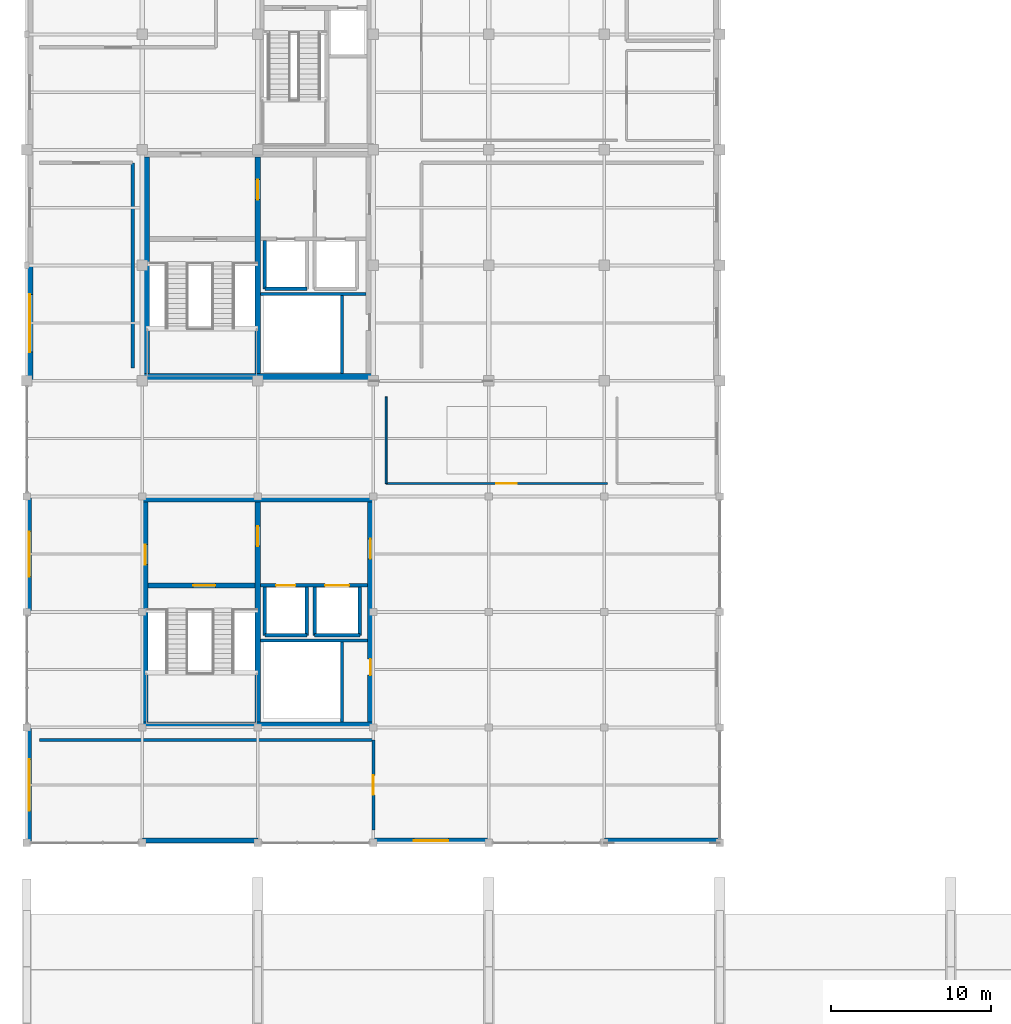
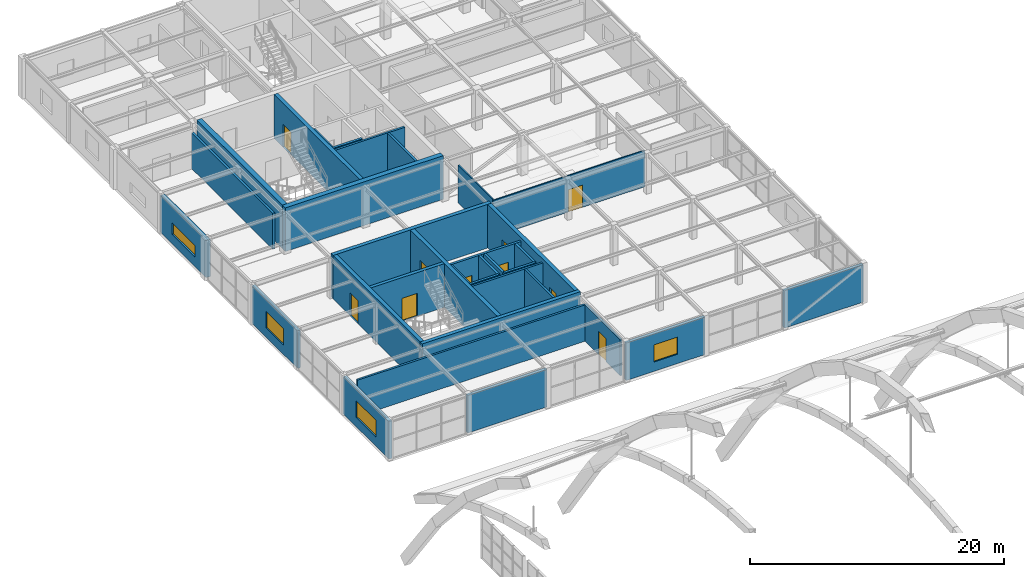
# One storey, part 56 of 64: 33 walls, 10 doors, 4 windows, 14 openings.
"""IFC4 building model written with IfcOpenShell, lengths in metres."""

from ifc_helpers import new_model, si_unit, direction, frame, frame_2d, origin, place, context, subcontext, project, spatial, rectangle, extrude, material, layer, layer_set, type_object, element, fill, save


model = new_model("IFC4")

# Units and contexts
model_context = context("Model", 3, precision=1e-05, world=origin(), true_north=direction((0.0, 1.0)))
body_context = subcontext(model_context, "Body", "Model", "MODEL_VIEW")
ifc_project = project(units=[si_unit("LENGTHUNIT", "METRE"), si_unit("AREAUNIT", "SQUARE_METRE"), si_unit("VOLUMEUNIT", "CUBIC_METRE"), si_unit("PLANEANGLEUNIT", "RADIAN"), si_unit("MASSUNIT", "GRAM", prefix="KILO")], contexts=[model_context])

# Site, building, storey
site_placement = place(None, origin())
site = spatial("IfcSite", under=ifc_project, at=site_placement, CompositionType="ELEMENT")
building_placement = place(site_placement, origin())
building = spatial("IfcBuilding", under=site, at=building_placement, Name="Leyfeld Transit Interchange", CompositionType="ELEMENT")
storey_placement = place(building_placement, frame((0.0, 0.0, 9.60009765625)))
storey = spatial("IfcBuildingStorey", under=building, at=storey_placement, Name="L02", CompositionType="ELEMENT", Elevation=9.60009765625)

# Wall, opening, window
ifc_material_1 = material(Name="Clinker brick masonry - Insulated", Category="masonry")
ifc_layer_1 = layer(ifc_material_1, 0.3798828125, Name="Clinker brick masonry - Insulated")
ifc_layer_set_1 = layer_set([ifc_layer_1], Name="Clinker brick masonry - Insulated")
wall_type_1 = type_object("IfcWallType", Name="WL-EXT-BRK-380", PredefinedType="SOLIDWALL", material=ifc_layer_set_1)
wall_1_placement = place(storey_placement, frame((0.18994140625, 93.60009765625, 0.0), z_axis=(0.0, 0.0, 1.0), x_axis=(0.0, 1.0, 0.0)))
wall_1 = element("IfcWall", 1, at=wall_1_placement, inside=storey, type_object=wall_type_1, Name="External Facade Wall EW-L02-075", PredefinedType="SOLIDWALL", context=body_context, shape_type="SweptSolid", body=[
    extrude(rectangle(XDim=7.199951171875, YDim=0.3798828125, at=frame_2d((3.60009765625, 0.0))), origin(), (0.0, 0.0, 1.0), 3.579833984375),
])
opening_1_placement = place(wall_1_placement, frame((1.800048828125, 0.0, 0.89990234375)))
opening_1 = element("IfcOpeningElement", 2, at=opening_1_placement, cuts=wall_1, Name="Opening W-04", PredefinedType="OPENING", context=body_context, shape_type="SweptSolid", body=[
    extrude(rectangle(XDim=3.60009765625, YDim=1.10009765625, at=frame_2d((1.800048828125, 0.550048828125))), frame((0.0, 0.199951171875, 0.0), z_axis=(0.0, -1.0, 0.0), x_axis=(1.0, 0.0, 0.0)), (0.0, 0.0, 1.0), 0.39990234375),
])
ifc_material_2 = material(Name="Triple low-E insulated glazing", Category="glass")
window_type_1 = type_object("IfcWindowType", Name="WIN-CLR-3600x1100", PartitioningType="SINGLE_PANEL", PredefinedType="WINDOW", material=ifc_material_2)
window_1_placement = place(opening_1_placement, origin())
window_1 = element("IfcWindow", 3, at=window_1_placement, inside=storey, type_object=window_type_1, Name="Facade Window L02 047", OverallHeight=1.10009765625, OverallWidth=3.60009765625, PartitioningType="SINGLE_PANEL", PredefinedType="WINDOW", context=body_context, shape_type="SweptSolid", body=[
    extrude(rectangle(XDim=3.60009765625, YDim=1.10009765625, at=frame_2d((1.800048828125, 0.550048828125))), frame((0.0, 0.030029296875, 0.0), z_axis=(0.0, -1.0, 0.0), x_axis=(1.0, 0.0, 0.0)), (0.0, 0.0, 1.0), 0.06005859375),
])
fill(opening_1, window_1)

ifc_material_3 = material(Name="Austrian larch glulam GL28h", Category="wood")
ifc_layer_2 = layer(ifc_material_3, 0.2900390625, Name="Austrian larch glulam GL28h")
ifc_layer_set_2 = layer_set([ifc_layer_2], Name="Austrian larch glulam GL28h")
wall_type_2 = type_object("IfcWallType", Name="WL-EXT-LRC-290", PredefinedType="SOLIDWALL", material=ifc_layer_set_2)
wall_2_placement = place(storey_placement, frame((0.14501953125, 64.800048828125, 0.0), z_axis=(0.0, 0.0, 1.0), x_axis=(0.0, 1.0, 0.0)))
wall_2 = element("IfcWall", 4, at=wall_2_placement, inside=storey, type_object=wall_type_2, Name="External Facade Wall EW-L02-073", PredefinedType="SOLIDWALL", context=body_context, shape_type="SweptSolid", body=[
    extrude(rectangle(XDim=7.199951171875, YDim=0.2900390625, at=frame_2d((3.60009765625, 0.0))), origin(), (0.0, 0.0, 1.0), 3.599853515625),
])
opening_2_placement = place(wall_2_placement, frame((2.0, 0.0, 0.89990234375)))
opening_2 = element("IfcOpeningElement", 5, at=opening_2_placement, cuts=wall_2, Name="Opening W-02", PredefinedType="OPENING", context=body_context, shape_type="SweptSolid", body=[
    extrude(rectangle(XDim=3.199951171875, YDim=1.60009765625, at=frame_2d((1.60009765625, 0.800048828125))), frame((0.0, 0.155029296875, 0.0), z_axis=(0.0, -1.0, 0.0), x_axis=(1.0, 0.0, 0.0)), (0.0, 0.0, 1.0), 0.31005859375),
])
window_type_2 = type_object("IfcWindowType", Name="WIN-RIB-3200x1600", PartitioningType="SINGLE_PANEL", PredefinedType="WINDOW", material=ifc_material_2)
window_2_placement = place(opening_2_placement, origin())
window_2 = element("IfcWindow", 6, at=window_2_placement, inside=storey, type_object=window_type_2, Name="Facade Window L02 045", OverallHeight=1.60009765625, OverallWidth=3.199951171875, PartitioningType="SINGLE_PANEL", PredefinedType="WINDOW", context=body_context, shape_type="SweptSolid", body=[
    extrude(rectangle(XDim=3.199951171875, YDim=1.60009765625, at=frame_2d((1.60009765625, 0.800048828125))), frame((0.0, 0.030029296875, 0.0), z_axis=(0.0, -1.0, 0.0), x_axis=(1.0, 0.0, 0.0)), (0.0, 0.0, 1.0), 0.06005859375),
])
fill(opening_2, window_2)

wall_3_placement = place(storey_placement, frame((0.14501953125, 79.199951171875, 0.0), z_axis=(0.0, 0.0, 1.0), x_axis=(0.0, 1.0, 0.0)))
wall_3 = element("IfcWall", 7, at=wall_3_placement, inside=storey, type_object=wall_type_2, Name="External Facade Wall EW-L02-074", PredefinedType="SOLIDWALL", context=body_context, shape_type="SweptSolid", body=[
    extrude(rectangle(XDim=7.199951171875, YDim=0.2900390625, at=frame_2d((3.60009765625, 0.0))), origin(), (0.0, 0.0, 1.0), 3.619873046875),
])
opening_3_placement = place(wall_3_placement, frame((2.199951171875, 0.0, 0.89990234375)))
opening_3 = element("IfcOpeningElement", 8, at=opening_3_placement, cuts=wall_3, Name="Opening W-03", PredefinedType="OPENING", context=body_context, shape_type="SweptSolid", body=[
    extrude(rectangle(XDim=2.800048828125, YDim=1.60009765625, at=frame_2d((1.39990234375, 0.800048828125))), frame((0.0, 0.155029296875, 0.0), z_axis=(0.0, -1.0, 0.0), x_axis=(1.0, 0.0, 0.0)), (0.0, 0.0, 1.0), 0.31005859375),
])
window_type_3 = type_object("IfcWindowType", Name="WIN-RIB-2800x1600", PartitioningType="SINGLE_PANEL", PredefinedType="WINDOW", material=ifc_material_2)
window_3_placement = place(opening_3_placement, origin())
window_3 = element("IfcWindow", 9, at=window_3_placement, inside=storey, type_object=window_type_3, Name="Facade Window L02 046", OverallHeight=1.60009765625, OverallWidth=2.800048828125, PartitioningType="SINGLE_PANEL", PredefinedType="WINDOW", context=body_context, shape_type="SweptSolid", body=[
    extrude(rectangle(XDim=2.800048828125, YDim=1.60009765625, at=frame_2d((1.39990234375, 0.800048828125))), frame((0.0, 0.030029296875, 0.0), z_axis=(0.0, -1.0, 0.0), x_axis=(1.0, 0.0, 0.0)), (0.0, 0.0, 1.0), 0.06005859375),
])
fill(opening_3, window_3)

# Wall
wall_4_placement = place(storey_placement, frame((43.199951171875, 64.945068359375, 0.0), z_axis=(0.0, 0.0, 1.0), x_axis=(-1.0, 0.0, 0.0)))
element("IfcWall", 10, at=wall_4_placement, inside=storey, type_object=wall_type_2, Name="External Facade Wall EW-L02-090", PredefinedType="SOLIDWALL", context=body_context, shape_type="SweptSolid", body=[
    extrude(rectangle(XDim=7.199951171875, YDim=0.2900390625, at=frame_2d((3.60009765625, 0.0))), origin(), (0.0, 0.0, 1.0), 3.599853515625),
])

# Wall, opening, window
wall_5_placement = place(storey_placement, frame((28.800048828125, 64.945068359375, 0.0), z_axis=(0.0, 0.0, 1.0), x_axis=(-1.0, 0.0, 0.0)))
wall_5 = element("IfcWall", 11, at=wall_5_placement, inside=storey, type_object=wall_type_2, Name="External Facade Wall EW-L02-091", PredefinedType="SOLIDWALL", context=body_context, shape_type="SweptSolid", body=[
    extrude(rectangle(XDim=7.199951171875, YDim=0.2900390625, at=frame_2d((3.60009765625, 0.0))), origin(), (0.0, 0.0, 1.0), 3.599853515625),
])
opening_4_placement = place(wall_5_placement, frame((2.52490234375, 0.0, 0.89990234375)))
opening_4 = element("IfcOpeningElement", 12, at=opening_4_placement, cuts=wall_5, Name="Opening WU-10", PredefinedType="OPENING", context=body_context, shape_type="SweptSolid", body=[
    extrude(rectangle(XDim=2.14990234375, YDim=1.64990234375, at=frame_2d((1.074951171875, 0.824951171875))), frame((0.0, 0.155029296875, 0.0), z_axis=(0.0, -1.0, 0.0), x_axis=(1.0, 0.0, 0.0)), (0.0, 0.0, 1.0), 0.31005859375),
])
window_type_4 = type_object("IfcWindowType", Name="WIN-UNQ-10", PartitioningType="SINGLE_PANEL", PredefinedType="WINDOW", material=ifc_material_2)
window_4_placement = place(opening_4_placement, origin())
window_4 = element("IfcWindow", 13, at=window_4_placement, inside=storey, type_object=window_type_4, Name="Facade Window L02 062", OverallHeight=1.64990234375, OverallWidth=2.14990234375, PartitioningType="SINGLE_PANEL", PredefinedType="WINDOW", context=body_context, shape_type="SweptSolid", body=[
    extrude(rectangle(XDim=2.14990234375, YDim=1.64990234375, at=frame_2d((1.074951171875, 0.824951171875))), frame((0.0, 0.030029296875, 0.0), z_axis=(0.0, -1.0, 0.0), x_axis=(1.0, 0.0, 0.0)), (0.0, 0.0, 1.0), 0.06005859375),
])
fill(opening_4, window_4)

# Walls
wall_6_placement = place(storey_placement, frame((14.39990234375, 64.945068359375, 0.0), z_axis=(0.0, 0.0, 1.0), x_axis=(-1.0, 0.0, 0.0)))
element("IfcWall", 14, at=wall_6_placement, inside=storey, type_object=wall_type_2, Name="External Facade Wall EW-L02-092", PredefinedType="SOLIDWALL", context=body_context, shape_type="SweptSolid", body=[
    extrude(rectangle(XDim=7.199951171875, YDim=0.2900390625, at=frame_2d((3.60009765625, 0.0))), origin(), (0.0, 0.0, 1.0), 3.599853515625),
])
ifc_material_4 = material(Name="Concrete C35/45", Category="concrete")
ifc_layer_3 = layer(ifc_material_4, 0.199951171875, Name="Concrete C35/45")
ifc_layer_set_3 = layer_set([ifc_layer_3], Name="Concrete C35/45")
wall_type_3 = type_object("IfcWallType", Name="WL-INT-FFL-200", PredefinedType="PARTITIONING", material=ifc_layer_set_3)
wall_7_placement = place(storey_placement, frame((6.60009765625, 107.199951171875, 0.0), z_axis=(0.0, 0.0, 1.0), x_axis=(0.0, -1.0, 0.0)))
element("IfcWall", 15, at=wall_7_placement, inside=storey, type_object=wall_type_3, Name="Interior Partition L02-TEL-01 E", PredefinedType="PARTITIONING", context=body_context, shape_type="SweptSolid", body=[
    extrude(rectangle(XDim=12.800048828125, YDim=0.199951171875, at=frame_2d((6.39990234375, 0.0))), origin(), (0.0, 0.0, 1.0), 3.429931640625),
])

# Wall, opening, door
ifc_material_5 = material(Name="Gypsum plasterboard acoustic stud", Category="gypsum")
ifc_layer_4 = layer(ifc_material_5, 0.114990234375, Name="Gypsum plasterboard acoustic stud")
ifc_layer_set_4 = layer_set([ifc_layer_4], Name="Gypsum plasterboard acoustic stud")
wall_type_4 = type_object("IfcWallType", Name="WL-INT-OFF-115", PredefinedType="PARTITIONING", material=ifc_layer_set_4)
wall_8_placement = place(storey_placement, frame((36.199951171875, 87.199951171875, 0.0), z_axis=(0.0, 0.0, 1.0), x_axis=(-1.0, 0.0, 0.0)))
wall_8 = element("IfcWall", 16, at=wall_8_placement, inside=storey, type_object=wall_type_4, Name="Interior Partition L02-OFF-01 S", PredefinedType="PARTITIONING", context=body_context, shape_type="SweptSolid", body=[
    extrude(rectangle(XDim=13.800048828125, YDim=0.114990234375, at=frame_2d((6.89990234375, 0.0))), origin(), (0.0, 0.0, 1.0), 3.5),
])
opening_5_placement = place(wall_8_placement, frame((5.659912109375, 0.0, 0.0)))
opening_5 = element("IfcOpeningElement", 17, at=opening_5_placement, cuts=wall_8, Name="Opening DU-09", PredefinedType="OPENING", context=body_context, shape_type="SweptSolid", body=[
    extrude(rectangle(XDim=1.280029296875, YDim=2.14990234375, at=frame_2d((0.64013671875, 1.074951171875))), frame((0.0, 0.0673828125, 0.0), z_axis=(0.0, -1.0, 0.0), x_axis=(1.0, 0.0, 0.0)), (0.0, 0.0, 1.0), 0.135009765625),
])
door_type_1 = type_object("IfcDoorType", Name="DR-UNQ-09", OperationType="NOTDEFINED", PredefinedType="DOOR", material=ifc_material_3)
door_1_placement = place(opening_5_placement, origin())
door_1 = element("IfcDoor", 18, at=door_1_placement, inside=storey, type_object=door_type_1, Name="DR-L02-OFF-01", OperationType="SINGLE_SWING_LEFT", OverallHeight=2.14990234375, OverallWidth=1.280029296875, PredefinedType="DOOR", context=body_context, shape_type="SweptSolid", body=[
    extrude(rectangle(XDim=1.280029296875, YDim=2.14990234375, at=frame_2d((0.64013671875, 1.074951171875))), frame((0.0, 0.02490234375, 0.0), z_axis=(0.0, -1.0, 0.0), x_axis=(1.0, 0.0, 0.0)), (0.0, 0.0, 1.0), 0.050048828125),
])
fill(opening_5, door_1)

# Walls
wall_9_placement = place(storey_placement, frame((22.39990234375, 87.199951171875, 0.0), z_axis=(0.0, 0.0, 1.0), x_axis=(0.0, 1.0, 0.0)))
element("IfcWall", 19, at=wall_9_placement, inside=storey, type_object=wall_type_4, Name="Interior Partition L02-OFF-01 W", PredefinedType="PARTITIONING", context=body_context, shape_type="SweptSolid", body=[
    extrude(rectangle(XDim=5.400146484375, YDim=0.114990234375, at=frame_2d((2.7001953125, 0.0))), origin(), (0.0, 0.0, 1.0), 3.6298828125),
])
ifc_material_6 = material(Name="Calcium silicate masonry", Category="masonry")
ifc_layer_5 = layer(ifc_material_6, 0.18994140625, Name="Calcium silicate masonry")
ifc_layer_set_5 = layer_set([ifc_layer_5], Name="Calcium silicate masonry")
wall_type_5 = type_object("IfcWallType", Name="WL-INT-PLT-190", PredefinedType="PARTITIONING", material=ifc_layer_set_5)
wall_10_placement = place(storey_placement, frame((14.580078125, 99.02001953125, 0.0), z_axis=(0.0, 0.0, 1.0), x_axis=(1.0, 0.0, 0.0)))
element("IfcWall", 20, at=wall_10_placement, inside=storey, type_object=wall_type_5, Name="Core K1 Riser Compartment Wall L02", PredefinedType="PARTITIONING", context=body_context, shape_type="SweptSolid", body=[
    extrude(rectangle(XDim=6.56982421875, YDim=0.18994140625, at=frame_2d((3.284912109375, 0.0))), origin(), (0.0, 0.0, 1.0), 3.849853515625),
])
wall_11_placement = place(storey_placement, frame((19.64990234375, 94.050048828125, 0.0), z_axis=(0.0, 0.0, 1.0), x_axis=(0.0, 1.0, 0.0)))
element("IfcWall", 21, at=wall_11_placement, inside=storey, type_object=wall_type_5, Name="Core K1 Riser Shaft East Wall L02", PredefinedType="PARTITIONING", context=body_context, shape_type="SweptSolid", body=[
    extrude(rectangle(XDim=4.8798828125, YDim=0.18994140625, at=frame_2d((2.43994140625, 0.0))), origin(), (0.0, 0.0, 1.0), 3.849853515625),
])
wall_12_placement = place(storey_placement, frame((14.580078125, 77.419921875, 0.0), z_axis=(0.0, 0.0, 1.0), x_axis=(1.0, 0.0, 0.0)))
element("IfcWall", 22, at=wall_12_placement, inside=storey, type_object=wall_type_5, Name="Core K3 Riser Compartment Wall L02", PredefinedType="PARTITIONING", context=body_context, shape_type="SweptSolid", body=[
    extrude(rectangle(XDim=6.669921875, YDim=0.18994140625, at=frame_2d((3.3349609375, 0.0))), origin(), (0.0, 0.0, 1.0), 3.849853515625),
])
wall_13_placement = place(storey_placement, frame((19.64990234375, 72.35009765625, 0.0), z_axis=(0.0, 0.0, 1.0), x_axis=(0.0, 1.0, 0.0)))
element("IfcWall", 23, at=wall_13_placement, inside=storey, type_object=wall_type_5, Name="Core K3 Riser Shaft East Wall L02", PredefinedType="PARTITIONING", context=body_context, shape_type="SweptSolid", body=[
    extrude(rectangle(XDim=4.97998046875, YDim=0.18994140625, at=frame_2d((2.489990234375, 0.0))), origin(), (0.0, 0.0, 1.0), 3.849853515625),
])
wall_14_placement = place(storey_placement, frame((0.800048828125, 71.199951171875, 0.0), z_axis=(0.0, 0.0, 1.0), x_axis=(1.0, 0.0, 0.0)))
element("IfcWall", 24, at=wall_14_placement, inside=storey, type_object=wall_type_5, Name="Interior Partition L02-WRK-01 N", PredefinedType="PARTITIONING", context=body_context, shape_type="SweptSolid", body=[
    extrude(rectangle(XDim=20.800048828125, YDim=0.18994140625, at=frame_2d((10.39990234375, 0.0))), origin(), (0.0, 0.0, 1.0), 3.5),
])

# Wall, opening, door
wall_15_placement = place(storey_placement, frame((21.60009765625, 71.199951171875, 0.0), z_axis=(0.0, 0.0, 1.0), x_axis=(0.0, -1.0, 0.0)))
wall_15 = element("IfcWall", 25, at=wall_15_placement, inside=storey, type_object=wall_type_5, Name="Interior Partition L02-WRK-01 E", PredefinedType="PARTITIONING", context=body_context, shape_type="SweptSolid", body=[
    extrude(rectangle(XDim=5.599853515625, YDim=0.18994140625, at=frame_2d((2.7998046875, 0.0))), origin(), (0.0, 0.0, 1.0), 3.5),
])
opening_6_placement = place(wall_15_placement, frame((2.18994140625, 0.0, 0.0)))
opening_6 = element("IfcOpeningElement", 26, at=opening_6_placement, cuts=wall_15, Name="Opening DU-08", PredefinedType="OPENING", context=body_context, shape_type="SweptSolid", body=[
    extrude(rectangle(XDim=1.219970703125, YDim=2.219970703125, at=frame_2d((0.60986328125, 1.10986328125))), frame((0.0, 0.10498046875, 0.0), z_axis=(0.0, -1.0, 0.0), x_axis=(1.0, 0.0, 0.0)), (0.0, 0.0, 1.0), 0.2099609375),
])
door_type_2 = type_object("IfcDoorType", Name="DR-UNQ-08", OperationType="NOTDEFINED", PredefinedType="DOOR", material=ifc_material_3)
door_2_placement = place(opening_6_placement, origin())
door_2 = element("IfcDoor", 27, at=door_2_placement, inside=storey, type_object=door_type_2, Name="DR-L02-WRK-01", OperationType="SINGLE_SWING_RIGHT", OverallHeight=2.219970703125, OverallWidth=1.219970703125, PredefinedType="DOOR", context=body_context, shape_type="SweptSolid", body=[
    extrude(rectangle(XDim=1.219970703125, YDim=2.219970703125, at=frame_2d((0.60986328125, 1.10986328125))), frame((0.0, 0.02490234375, 0.0), z_axis=(0.0, -1.0, 0.0), x_axis=(1.0, 0.0, 0.0)), (0.0, 0.0, 1.0), 0.050048828125),
])
fill(opening_6, door_2)

# Walls
ifc_layer_6 = layer(ifc_material_4, 0.219970703125, Name="Concrete C35/45")
ifc_layer_set_6 = layer_set([ifc_layer_6], Name="Concrete C35/45")
wall_type_6 = type_object("IfcWallType", Name="WL-INT-SHF-220", PredefinedType="PARTITIONING", material=ifc_layer_set_6)
wall_16_placement = place(storey_placement, frame((14.840087890625, 99.340087890625, 0.0), z_axis=(0.0, 0.0, 1.0), x_axis=(1.0, 0.0, 0.0)))
element("IfcWall", 28, at=wall_16_placement, inside=storey, type_object=wall_type_6, Name="Core K1 Lift FFL-1 Shaft Back Wall L02", PredefinedType="PARTITIONING", context=body_context, shape_type="SweptSolid", body=[
    extrude(rectangle(XDim=2.619873046875, YDim=0.219970703125, at=frame_2d((1.31005859375, 0.0))), origin(), (0.0, 0.0, 1.0), 3.849853515625),
])
wall_17_placement = place(storey_placement, frame((14.840087890625, 99.340087890625, 0.0), z_axis=(0.0, 0.0, 1.0), x_axis=(0.0, 1.0, 0.0)))
element("IfcWall", 29, at=wall_17_placement, inside=storey, type_object=wall_type_6, Name="Core K1 Lift FFL-1 Shaft Wall W L02", PredefinedType="PARTITIONING", context=body_context, shape_type="SweptSolid", body=[
    extrude(rectangle(XDim=3.0, YDim=0.219970703125, at=frame_2d((1.5, 0.0))), origin(), (0.0, 0.0, 1.0), 3.849853515625),
])

# Wall, openings, doors
wall_18_placement = place(storey_placement, frame((14.580078125, 80.85009765625, 0.0), z_axis=(0.0, 0.0, 1.0), x_axis=(1.0, 0.0, 0.0)))
wall_18 = element("IfcWall", 30, at=wall_18_placement, inside=storey, type_object=wall_type_6, Name="Core K3 Lift Shaft Front Wall L02", PredefinedType="PARTITIONING", context=body_context, shape_type="SweptSolid", body=[
    extrude(rectangle(XDim=6.669921875, YDim=0.219970703125, at=frame_2d((3.3349609375, 0.0))), origin(), (0.0, 0.0, 1.0), 3.849853515625),
])
opening_7_placement = place(wall_18_placement, frame((0.969970703125, 0.0, 0.0)))
opening_7 = element("IfcOpeningElement", 31, at=opening_7_placement, cuts=wall_18, Name="Opening LD-02", PredefinedType="OPENING", context=body_context, shape_type="SweptSolid", body=[
    extrude(rectangle(XDim=1.199951171875, YDim=2.14990234375, at=frame_2d((0.60009765625, 1.074951171875))), frame((0.0, 0.119873046875, 0.0), z_axis=(0.0, -1.0, 0.0), x_axis=(1.0, 0.0, 0.0)), (0.0, 0.0, 1.0), 0.239990234375),
])
opening_8_placement = place(wall_18_placement, frame((4.02001953125, 0.0, 0.0)))
opening_8 = element("IfcOpeningElement", 32, at=opening_8_placement, cuts=wall_18, Name="Opening LD-03", PredefinedType="OPENING", context=body_context, shape_type="SweptSolid", body=[
    extrude(rectangle(XDim=1.5, YDim=2.25, at=frame_2d((0.75, 1.125))), frame((0.0, 0.119873046875, 0.0), z_axis=(0.0, -1.0, 0.0), x_axis=(1.0, 0.0, 0.0)), (0.0, 0.0, 1.0), 0.239990234375),
])
ifc_material_7 = material(Name="Stainless steel EN 1.4404", Category="steel")
door_type_3 = type_object("IfcDoorType", Name="DR-LD-GDS-1500x2250", OperationType="NOTDEFINED", PredefinedType="DOOR", material=ifc_material_7)
door_3_placement = place(opening_8_placement, origin())
door_3 = element("IfcDoor", 33, at=door_3_placement, inside=storey, type_object=door_type_3, Name="LD-GL-1-L02", OperationType="DOUBLE_DOOR_SLIDING", OverallHeight=2.25, OverallWidth=1.5, PredefinedType="DOOR", context=body_context, shape_type="SweptSolid", body=[
    extrude(rectangle(XDim=1.5, YDim=2.25, at=frame_2d((0.75, 1.125))), frame((0.0, 0.02490234375, 0.0), z_axis=(0.0, -1.0, 0.0), x_axis=(1.0, 0.0, 0.0)), (0.0, 0.0, 1.0), 0.050048828125),
])
fill(opening_8, door_3)
door_type_4 = type_object("IfcDoorType", Name="DR-LD-PAS-1200x2150", OperationType="NOTDEFINED", PredefinedType="DOOR", material=ifc_material_7)
door_4_placement = place(opening_7_placement, origin())
door_4 = element("IfcDoor", 34, at=door_4_placement, inside=storey, type_object=door_type_4, Name="LD-PL-3-L02", OperationType="DOUBLE_DOOR_SLIDING", OverallHeight=2.14990234375, OverallWidth=1.199951171875, PredefinedType="DOOR", context=body_context, shape_type="SweptSolid", body=[
    extrude(rectangle(XDim=1.199951171875, YDim=2.14990234375, at=frame_2d((0.60009765625, 1.074951171875))), frame((0.0, 0.02490234375, 0.0), z_axis=(0.0, -1.0, 0.0), x_axis=(1.0, 0.0, 0.0)), (0.0, 0.0, 1.0), 0.050048828125),
])
fill(opening_7, door_4)

# Walls
wall_19_placement = place(storey_placement, frame((14.840087890625, 77.739990234375, 0.0), z_axis=(0.0, 0.0, 1.0), x_axis=(1.0, 0.0, 0.0)))
element("IfcWall", 35, at=wall_19_placement, inside=storey, type_object=wall_type_6, Name="Core K3 Lift PL-3 Shaft Back Wall L02", PredefinedType="PARTITIONING", context=body_context, shape_type="SweptSolid", body=[
    extrude(rectangle(XDim=2.619873046875, YDim=0.219970703125, at=frame_2d((1.31005859375, 0.0))), origin(), (0.0, 0.0, 1.0), 3.849853515625),
])
for number, where, z_axis, x_axis, name in (
    (36, (14.840087890625, 77.739990234375, 0.0), (0.0, 0.0, 1.0), (0.0, 1.0, 0.0), "Core K3 Lift PL-3 Shaft Wall W L02"),
    (37, (17.4599609375, 77.739990234375, 0.0), (0.0, 0.0, 1.0), (0.0, 1.0, 0.0), "Core K3 Lift PL-3 Shaft Wall E L02"),
):
    element("IfcWall", number, at=place(storey_placement, frame(where, z_axis=z_axis, x_axis=x_axis)), inside=storey, type_object=wall_type_6, Name=name, PredefinedType="PARTITIONING", context=body_context, shape_type="SweptSolid", body=[
        extrude(rectangle(XDim=3.0, YDim=0.219970703125, at=frame_2d((1.5, 0.0))), origin(), (0.0, 0.0, 1.0), 3.849853515625),
    ])
wall_20_placement = place(storey_placement, frame((17.93994140625, 77.739990234375, 0.0), z_axis=(0.0, 0.0, 1.0), x_axis=(1.0, 0.0, 0.0)))
element("IfcWall", 38, at=wall_20_placement, inside=storey, type_object=wall_type_6, Name="Core K3 Lift GL-1 Shaft Back Wall L02", PredefinedType="PARTITIONING", context=body_context, shape_type="SweptSolid", body=[
    extrude(rectangle(XDim=2.820068359375, YDim=0.219970703125, at=frame_2d((1.41015625, 0.0))), origin(), (0.0, 0.0, 1.0), 3.849853515625),
])
for number, where, z_axis, x_axis, name in (
    (39, (17.93994140625, 77.739990234375, 0.0), (0.0, 0.0, 1.0), (0.0, 1.0, 0.0), "Core K3 Lift GL-1 Shaft Wall W L02"),
    (40, (20.760009765625, 77.739990234375, 0.0), (0.0, 0.0, 1.0), (0.0, 1.0, 0.0), "Core K3 Lift GL-1 Shaft Wall E L02"),
):
    element("IfcWall", number, at=place(storey_placement, frame(where, z_axis=z_axis, x_axis=x_axis)), inside=storey, type_object=wall_type_6, Name=name, PredefinedType="PARTITIONING", context=body_context, shape_type="SweptSolid", body=[
        extrude(rectangle(XDim=3.0, YDim=0.219970703125, at=frame_2d((1.5, 0.0))), origin(), (0.0, 0.0, 1.0), 3.849853515625),
    ])

# Wall, opening, door
ifc_layer_7 = layer(ifc_material_4, 0.300048828125, Name="Concrete C35/45")
ifc_layer_set_7 = layer_set([ifc_layer_7], Name="Concrete C35/45")
wall_type_7 = type_object("IfcWallType", Name="WL-SH-300", PredefinedType="SHEAR", material=ifc_layer_set_7)
wall_21_placement = place(storey_placement, frame((7.550048828125, 80.85009765625, 0.0), z_axis=(0.0, 0.0, 1.0), x_axis=(1.0, 0.0, 0.0)))
wall_21 = element("IfcWall", 41, at=wall_21_placement, inside=storey, type_object=wall_type_7, Name="Core K3 Shear Wall STRN L02", PredefinedType="SHEAR", context=body_context, shape_type="SweptSolid", body=[
    extrude(rectangle(XDim=6.675048828125, YDim=0.300048828125, at=frame_2d((3.33740234375, 0.0))), origin(), (0.0, 0.0, 1.0), 4.199951171875),
])
opening_9_placement = place(wall_21_placement, frame((2.8125, 0.0, 0.0)))
opening_9 = element("IfcOpeningElement", 42, at=opening_9_placement, cuts=wall_21, Name="Opening DI-01", PredefinedType="OPENING", context=body_context, shape_type="SweptSolid", body=[
    extrude(rectangle(XDim=1.39990234375, YDim=2.199951171875, at=frame_2d((0.699951171875, 1.10009765625))), frame((0.0, 0.159912109375, 0.0), z_axis=(0.0, -1.0, 0.0), x_axis=(1.0, 0.0, 0.0)), (0.0, 0.0, 1.0), 0.320068359375),
])
ifc_material_8 = material(Name="Galvanised steel S275JR", Category="steel")
door_type_5 = type_object("IfcDoorType", Name="DR-STR-1400x2200", OperationType="NOTDEFINED", PredefinedType="DOOR", material=ifc_material_8)
door_5_placement = place(opening_9_placement, origin())
door_5 = element("IfcDoor", 43, at=door_5_placement, inside=storey, type_object=door_type_5, Name="DR-STR-INT-K3-L02", OperationType="SINGLE_SWING_RIGHT", OverallHeight=2.199951171875, OverallWidth=1.39990234375, PredefinedType="DOOR", context=body_context, shape_type="SweptSolid", body=[
    extrude(rectangle(XDim=1.39990234375, YDim=2.199951171875, at=frame_2d((0.699951171875, 1.10009765625))), frame((0.0, 0.02490234375, 0.0), z_axis=(0.0, -1.0, 0.0), x_axis=(1.0, 0.0, 0.0)), (0.0, 0.0, 1.0), 0.050048828125),
])
fill(opening_9, door_5)

ifc_layer_8 = layer(ifc_material_4, 0.35009765625, Name="Concrete C35/45")
ifc_layer_set_8 = layer_set([ifc_layer_8], Name="Concrete C35/45")
wall_type_8 = type_object("IfcWallType", Name="WL-SH-350", PredefinedType="SHEAR", material=ifc_layer_set_8)
wall_22_placement = place(storey_placement, frame((14.39990234375, 107.550048828125, 0.0), z_axis=(0.0, 0.0, 1.0), x_axis=(0.0, -1.0, 0.0)))
wall_22 = element("IfcWall", 44, at=wall_22_placement, inside=storey, type_object=wall_type_8, Name="Core K1 Shear Wall MID L02", PredefinedType="SHEAR", context=body_context, shape_type="SweptSolid", body=[
    extrude(rectangle(XDim=13.5, YDim=0.35009765625, at=frame_2d((6.75, 0.0))), origin(), (0.0, 0.0, 1.0), 4.199951171875),
])
opening_10_placement = place(wall_22_placement, frame((1.39990234375, 0.0, 0.0)))
opening_10 = element("IfcOpeningElement", 45, at=opening_10_placement, cuts=wall_22, Name="Opening DI-02", PredefinedType="OPENING", context=body_context, shape_type="SweptSolid", body=[
    extrude(rectangle(XDim=1.25, YDim=2.199951171875, at=frame_2d((0.625, 1.10009765625))), frame((0.0, 0.18505859375, 0.0), z_axis=(0.0, -1.0, 0.0), x_axis=(1.0, 0.0, 0.0)), (0.0, 0.0, 1.0), 0.3701171875),
])
door_type_6 = type_object("IfcDoorType", Name="DR-FFL-1250x2200", OperationType="NOTDEFINED", PredefinedType="DOOR", material=ifc_material_8)
door_6_placement = place(opening_10_placement, origin())
door_6 = element("IfcDoor", 46, at=door_6_placement, inside=storey, type_object=door_type_6, Name="DR-CORE-MID-K1-L02", OperationType="SINGLE_SWING_RIGHT", OverallHeight=2.199951171875, OverallWidth=1.25, PredefinedType="DOOR", context=body_context, shape_type="SweptSolid", body=[
    extrude(rectangle(XDim=1.25, YDim=2.199951171875, at=frame_2d((0.625, 1.10009765625))), frame((0.0, 0.02490234375, 0.0), z_axis=(0.0, -1.0, 0.0), x_axis=(1.0, 0.0, 0.0)), (0.0, 0.0, 1.0), 0.050048828125),
])
fill(opening_10, door_6)

# Wall
wall_23_placement = place(storey_placement, frame((7.199951171875, 86.22509765625, 0.0), z_axis=(0.0, 0.0, 1.0), x_axis=(1.0, 0.0, 0.0)))
element("IfcWall", 47, at=wall_23_placement, inside=storey, type_object=wall_type_8, Name="Core K3 Shear Wall N L02", PredefinedType="SHEAR", context=body_context, shape_type="SweptSolid", body=[
    extrude(rectangle(XDim=14.400146484375, YDim=0.35009765625, at=frame_2d((7.2001953125, 0.0))), origin(), (0.0, 0.0, 1.0), 4.199951171875),
])

# Wall, openings, doors
wall_24_placement = place(storey_placement, frame((21.425048828125, 86.050048828125, 0.0), z_axis=(0.0, 0.0, 1.0), x_axis=(0.0, -1.0, 0.0)))
wall_24 = element("IfcWall", 48, at=wall_24_placement, inside=storey, type_object=wall_type_8, Name="Core K3 Shear Wall E L02", PredefinedType="SHEAR", context=body_context, shape_type="SweptSolid", body=[
    extrude(rectangle(XDim=13.699951171875, YDim=0.35009765625, at=frame_2d((6.85009765625, 0.0))), origin(), (0.0, 0.0, 1.0), 4.199951171875),
])
opening_11_placement = place(wall_24_placement, frame((9.800048828125, 0.0, 0.0)))
opening_11 = element("IfcOpeningElement", 49, at=opening_11_placement, cuts=wall_24, Name="Opening DI-05", PredefinedType="OPENING", context=body_context, shape_type="SweptSolid", body=[
    extrude(rectangle(XDim=1.0, YDim=2.14990234375, at=frame_2d((0.5, 1.074951171875))), frame((0.0, 0.18505859375, 0.0), z_axis=(0.0, -1.0, 0.0), x_axis=(1.0, 0.0, 0.0)), (0.0, 0.0, 1.0), 0.3701171875),
])
opening_12_placement = place(wall_24_placement, frame((2.300048828125, 0.0, 0.0)))
opening_12 = element("IfcOpeningElement", 50, at=opening_12_placement, cuts=wall_24, Name="Opening DI-02", PredefinedType="OPENING", context=body_context, shape_type="SweptSolid", body=[
    extrude(rectangle(XDim=1.25, YDim=2.199951171875, at=frame_2d((0.625, 1.10009765625))), frame((0.0, 0.18505859375, 0.0), z_axis=(0.0, -1.0, 0.0), x_axis=(1.0, 0.0, 0.0)), (0.0, 0.0, 1.0), 0.3701171875),
])
door_7_placement = place(opening_12_placement, origin())
door_7 = element("IfcDoor", 51, at=door_7_placement, inside=storey, type_object=door_type_6, Name="DR-CORE-OUT-K3-L02-E", OperationType="SINGLE_SWING_RIGHT", OverallHeight=2.199951171875, OverallWidth=1.25, PredefinedType="DOOR", context=body_context, shape_type="SweptSolid", body=[
    extrude(rectangle(XDim=1.25, YDim=2.199951171875, at=frame_2d((0.625, 1.10009765625))), frame((0.0, 0.02490234375, 0.0), z_axis=(0.0, -1.0, 0.0), x_axis=(1.0, 0.0, 0.0)), (0.0, 0.0, 1.0), 0.050048828125),
])
fill(opening_12, door_7)
door_type_7 = type_object("IfcDoorType", Name="DR-OFF-1000x2150", OperationType="NOTDEFINED", PredefinedType="DOOR", material=ifc_material_3)
door_8_placement = place(opening_11_placement, origin())
door_8 = element("IfcDoor", 52, at=door_8_placement, inside=storey, type_object=door_type_7, Name="DR-RSR-K3-L02", OperationType="SINGLE_SWING_RIGHT", OverallHeight=2.14990234375, OverallWidth=1.0, PredefinedType="DOOR", context=body_context, shape_type="SweptSolid", body=[
    extrude(rectangle(XDim=1.0, YDim=2.14990234375, at=frame_2d((0.5, 1.074951171875))), frame((0.0, 0.02490234375, 0.0), z_axis=(0.0, -1.0, 0.0), x_axis=(1.0, 0.0, 0.0)), (0.0, 0.0, 1.0), 0.050048828125),
])
fill(opening_11, door_8)

# Wall
wall_25_placement = place(storey_placement, frame((21.60009765625, 72.175048828125, 0.0), z_axis=(0.0, 0.0, 1.0), x_axis=(-1.0, 0.0, 0.0)))
element("IfcWall", 53, at=wall_25_placement, inside=storey, type_object=wall_type_8, Name="Core K3 Shear Wall S L02", PredefinedType="SHEAR", context=body_context, shape_type="SweptSolid", body=[
    extrude(rectangle(XDim=14.400146484375, YDim=0.35009765625, at=frame_2d((7.2001953125, 0.0))), origin(), (0.0, 0.0, 1.0), 4.199951171875),
])

# Wall, opening, door
wall_26_placement = place(storey_placement, frame((7.375, 72.35009765625, 0.0), z_axis=(0.0, 0.0, 1.0), x_axis=(0.0, 1.0, 0.0)))
wall_26 = element("IfcWall", 54, at=wall_26_placement, inside=storey, type_object=wall_type_8, Name="Core K3 Shear Wall W L02", PredefinedType="SHEAR", context=body_context, shape_type="SweptSolid", body=[
    extrude(rectangle(XDim=13.699951171875, YDim=0.35009765625, at=frame_2d((6.85009765625, 0.0))), origin(), (0.0, 0.0, 1.0), 4.199951171875),
])
opening_13_placement = place(wall_26_placement, frame((9.800048828125, 0.0, 0.0)))
opening_13 = element("IfcOpeningElement", 55, at=opening_13_placement, cuts=wall_26, Name="Opening DI-02", PredefinedType="OPENING", context=body_context, shape_type="SweptSolid", body=[
    extrude(rectangle(XDim=1.25, YDim=2.199951171875, at=frame_2d((0.625, 1.10009765625))), frame((0.0, 0.18505859375, 0.0), z_axis=(0.0, -1.0, 0.0), x_axis=(1.0, 0.0, 0.0)), (0.0, 0.0, 1.0), 0.3701171875),
])
door_9_placement = place(opening_13_placement, origin())
door_9 = element("IfcDoor", 56, at=door_9_placement, inside=storey, type_object=door_type_6, Name="DR-CORE-OUT-K3-L02-W", OperationType="SINGLE_SWING_LEFT", OverallHeight=2.199951171875, OverallWidth=1.25, PredefinedType="DOOR", context=body_context, shape_type="SweptSolid", body=[
    extrude(rectangle(XDim=1.25, YDim=2.199951171875, at=frame_2d((0.625, 1.10009765625))), frame((0.0, 0.02490234375, 0.0), z_axis=(0.0, -1.0, 0.0), x_axis=(1.0, 0.0, 0.0)), (0.0, 0.0, 1.0), 0.050048828125),
])
fill(opening_13, door_9)

wall_27_placement = place(storey_placement, frame((14.39990234375, 86.050048828125, 0.0), z_axis=(0.0, 0.0, 1.0), x_axis=(0.0, -1.0, 0.0)))
wall_27 = element("IfcWall", 57, at=wall_27_placement, inside=storey, type_object=wall_type_8, Name="Core K3 Shear Wall MID L02", PredefinedType="SHEAR", context=body_context, shape_type="SweptSolid", body=[
    extrude(rectangle(XDim=13.699951171875, YDim=0.35009765625, at=frame_2d((6.85009765625, 0.0))), origin(), (0.0, 0.0, 1.0), 4.199951171875),
])
opening_14_placement = place(wall_27_placement, frame((1.5, 0.0, 0.0)))
opening_14 = element("IfcOpeningElement", 58, at=opening_14_placement, cuts=wall_27, Name="Opening DI-02", PredefinedType="OPENING", context=body_context, shape_type="SweptSolid", body=[
    extrude(rectangle(XDim=1.25, YDim=2.199951171875, at=frame_2d((0.625, 1.10009765625))), frame((0.0, 0.18505859375, 0.0), z_axis=(0.0, -1.0, 0.0), x_axis=(1.0, 0.0, 0.0)), (0.0, 0.0, 1.0), 0.3701171875),
])
door_10_placement = place(opening_14_placement, origin())
door_10 = element("IfcDoor", 59, at=door_10_placement, inside=storey, type_object=door_type_6, Name="DR-CORE-MID-K3-L02", OperationType="SINGLE_SWING_LEFT", OverallHeight=2.199951171875, OverallWidth=1.25, PredefinedType="DOOR", context=body_context, shape_type="SweptSolid", body=[
    extrude(rectangle(XDim=1.25, YDim=2.199951171875, at=frame_2d((0.625, 1.10009765625))), frame((0.0, 0.02490234375, 0.0), z_axis=(0.0, -1.0, 0.0), x_axis=(1.0, 0.0, 0.0)), (0.0, 0.0, 1.0), 0.050048828125),
])
fill(opening_14, door_10)

# Walls
ifc_layer_9 = layer(ifc_material_4, 0.449951171875, Name="Concrete C35/45")
ifc_layer_set_9 = layer_set([ifc_layer_9], Name="Concrete C35/45")
wall_type_9 = type_object("IfcWallType", Name="WL-SH-450", PredefinedType="SHEAR", material=ifc_layer_set_9)
wall_28_placement = place(storey_placement, frame((21.60009765625, 93.824951171875, 0.0), z_axis=(0.0, 0.0, 1.0), x_axis=(-1.0, 0.0, 0.0)))
element("IfcWall", 60, at=wall_28_placement, inside=storey, type_object=wall_type_9, Name="Core K1 Shear Wall S L02", PredefinedType="SHEAR", context=body_context, shape_type="SweptSolid", body=[
    extrude(rectangle(XDim=14.400146484375, YDim=0.449951171875, at=frame_2d((7.2001953125, 0.0))), origin(), (0.0, 0.0, 1.0), 4.199951171875),
])
wall_29_placement = place(storey_placement, frame((7.425048828125, 94.050048828125, 0.0), z_axis=(0.0, 0.0, 1.0), x_axis=(0.0, 1.0, 0.0)))
element("IfcWall", 61, at=wall_29_placement, inside=storey, type_object=wall_type_9, Name="Core K1 Shear Wall W L02", PredefinedType="SHEAR", context=body_context, shape_type="SweptSolid", body=[
    extrude(rectangle(XDim=13.5, YDim=0.449951171875, at=frame_2d((6.75, 0.0))), origin(), (0.0, 0.0, 1.0), 4.199951171875),
])

save(model, "model.ifc")
